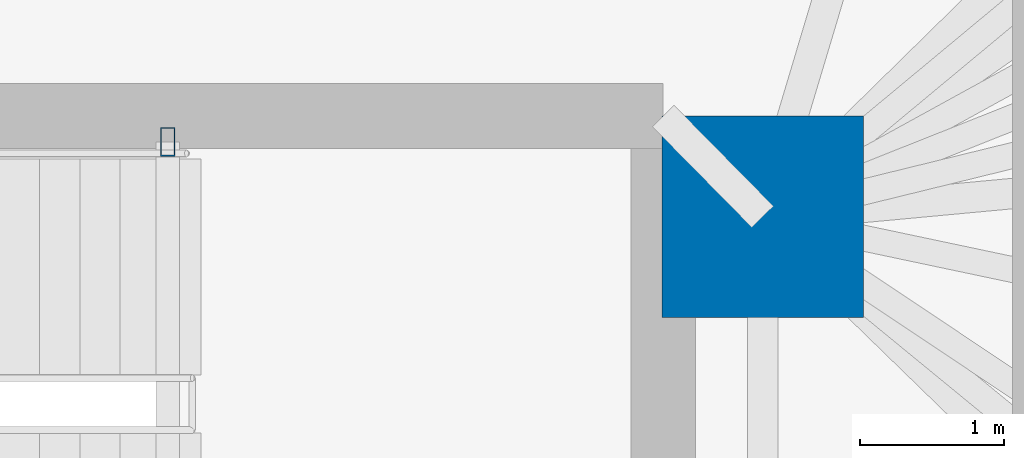
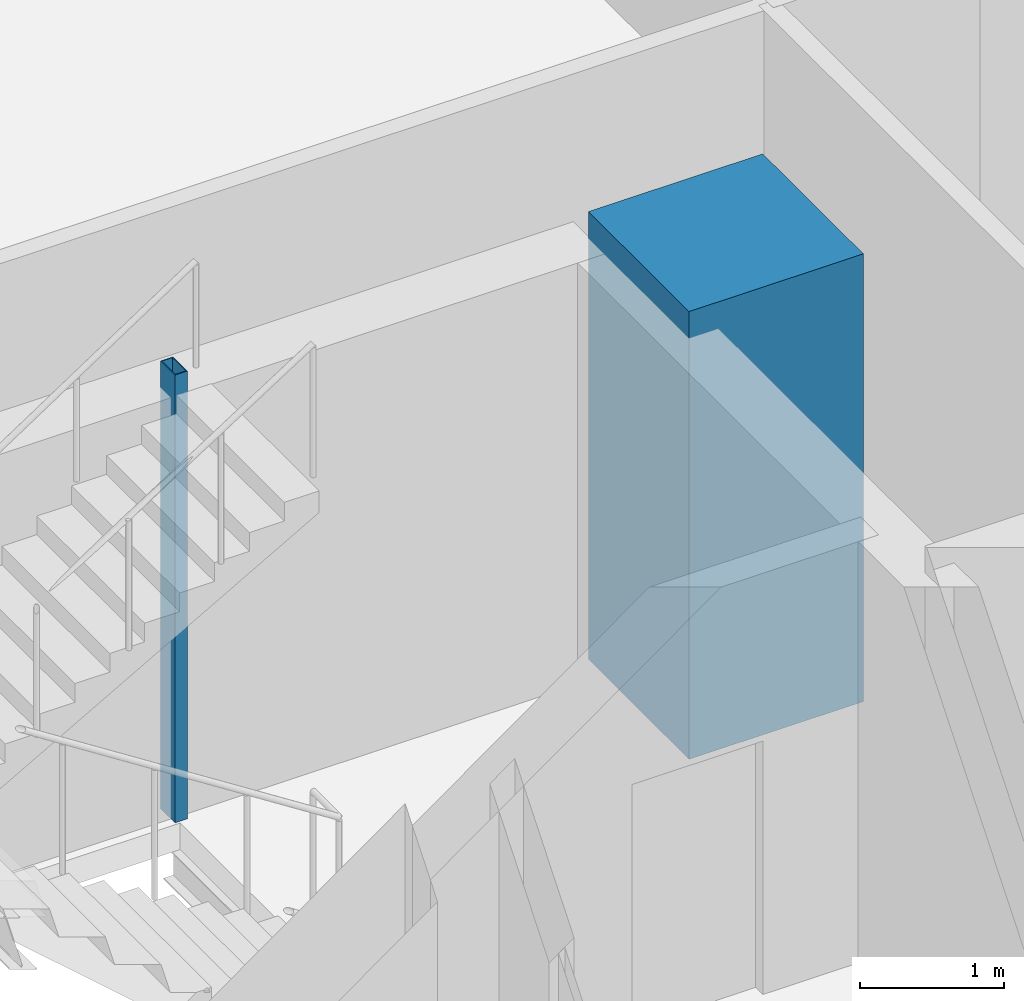
# One storey, part 4 of 16: 2 columns.
"""IFC4 building model written with IfcOpenShell, lengths in metres."""

from ifc_helpers import new_model, si_unit, direction, frame, origin, origin_2d, place, context, subcontext, project, spatial, rectangle, hollow_rectangle, extrude, material, material_profile, profile_set, type_object, element, save


model = new_model("IFC4")

# Units and contexts
model_context = context("Model", 3, precision=1e-05, world=origin(), true_north=direction((0.0, 1.0)))
body_context = subcontext(model_context, "Body", "Model", "MODEL_VIEW")
ifc_project = project(units=[si_unit("LENGTHUNIT", "METRE"), si_unit("AREAUNIT", "SQUARE_METRE"), si_unit("VOLUMEUNIT", "CUBIC_METRE"), si_unit("PLANEANGLEUNIT", "RADIAN"), si_unit("MASSUNIT", "GRAM", prefix="KILO")], contexts=[model_context])

# Site, building, storey
site_placement = place(None, origin())
site = spatial("IfcSite", under=ifc_project, at=site_placement, CompositionType="ELEMENT")
building_placement = place(site_placement, origin())
building = spatial("IfcBuilding", under=site, at=building_placement, Name="Menara Jurai Vektor", CompositionType="ELEMENT")
storey_placement = place(building_placement, frame((0.0, 0.0, 33.199951171875)))
storey = spatial("IfcBuildingStorey", under=building, at=storey_placement, Name="L07", CompositionType="ELEMENT", Elevation=33.199951171875)

# Columns
ifc_material_1 = material(Name="Concrete C60/75", Category="concrete")
ifc_material_profile_1 = material_profile(ifc_material_1, rectangle(XDim=1.39990234375, YDim=1.39990234375, at=origin_2d()), Name="RC 1400x1400")
ifc_profile_set_1 = profile_set([ifc_material_profile_1], Name="Concrete C60/75")
column_type_1 = type_object("IfcColumnType", Name="STR-COL-RC1400", PredefinedType="COLUMN", material=ifc_profile_set_1)
column_1_placement = place(storey_placement, frame((15.25, 4.89990234375, 0.0), z_axis=(0.0, 0.0, 1.0), x_axis=(1.0, 0.0, 0.0)))
element("IfcColumn", 1, at=column_1_placement, inside=storey, type_object=column_type_1, Name="Core Spine Column CE-NE L07", PredefinedType="COLUMN", context=body_context, shape_type="SweptSolid", body=[
    extrude(rectangle(XDim=1.39990234375, YDim=1.39990234375, at=origin_2d()), origin(), (0.0, 0.0, 1.0), 3.800048828125),
])
ifc_material_2 = material(Name="Steel S355", Category="steel")
ifc_material_profile_2 = material_profile(ifc_material_2, hollow_rectangle(XDim=0.10009765625, YDim=0.199951171875, WallThickness=0.008056640625, at=origin_2d()), Name="RHS 200x100x8")
ifc_profile_set_2 = profile_set([ifc_material_profile_2], Name="Steel S355")
column_type_2 = type_object("IfcColumnType", Name="STR-COL-STAIR", PredefinedType="COLUMN", material=ifc_profile_set_2)
column_2_placement = place(storey_placement, frame((11.1201171875, 5.419921875, 0.0), z_axis=(0.0, 0.0, 1.0), x_axis=(1.0, 0.0, 0.0)))
element("IfcColumn", 2, at=column_2_placement, inside=storey, type_object=column_type_2, Name="Stair Well Header Column ST2-P2 L07", PredefinedType="COLUMN", context=body_context, shape_type="SweptSolid", body=[
    extrude(hollow_rectangle(XDim=0.10009765625, YDim=0.199951171875, WallThickness=0.008056640625, at=origin_2d()), origin(), (0.0, 0.0, 1.0), 3.800048828125),
])

save(model, "model.ifc")
